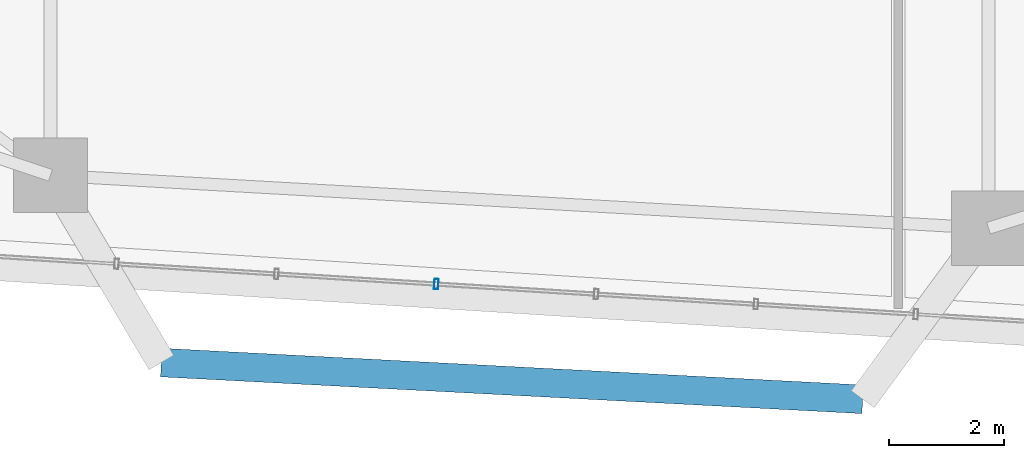
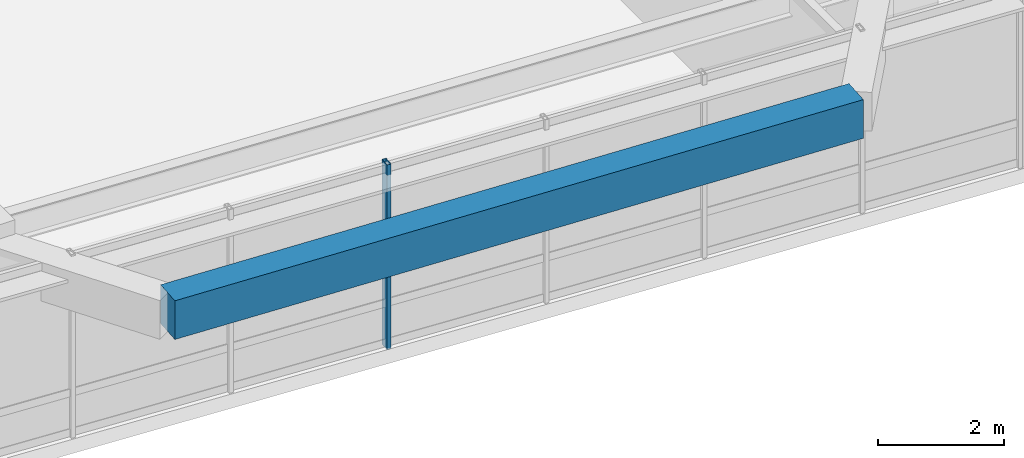
# One storey, part 3 of 13: 1 beam, 1 member, 1 element without a shape of its own.
"""IFC4 building model written with IfcOpenShell, lengths in metres."""

from ifc_helpers import new_model, si_unit, direction, frame, origin, origin_2d, place, context, subcontext, project, spatial, rectangle, hollow_rectangle, extrude, material, material_profile, profile_set, type_object, element, aggregate, save


model = new_model("IFC4")

# Units and contexts
model_context = context("Model", 3, precision=1e-05, world=origin(), true_north=direction((0.0, 1.0)))
body_context = subcontext(model_context, "Body", "Model", "MODEL_VIEW")
ifc_project = project(units=[si_unit("LENGTHUNIT", "METRE"), si_unit("AREAUNIT", "SQUARE_METRE"), si_unit("VOLUMEUNIT", "CUBIC_METRE"), si_unit("PLANEANGLEUNIT", "RADIAN"), si_unit("MASSUNIT", "GRAM", prefix="KILO")], contexts=[model_context])

# Site, building, storey
site_placement = place(None, origin())
site = spatial("IfcSite", under=ifc_project, at=site_placement, CompositionType="ELEMENT")
building_placement = place(site_placement, origin())
building = spatial("IfcBuilding", under=site, at=building_placement, Name="Zulverin Broadcast Headquarters", CompositionType="ELEMENT")
storey_placement = place(building_placement, frame((0.0, 0.0, 70.60009765625)))
storey = spatial("IfcBuildingStorey", under=building, at=storey_placement, Name="L17", CompositionType="ELEMENT", Elevation=70.60009765625)

# Beam
ifc_material_1 = material(Name="Concrete C40/50", Category="concrete")
ifc_material_profile_1 = material_profile(ifc_material_1, rectangle(XDim=0.5, YDim=0.75, at=origin_2d()), Name="Concrete C40/50", Category="concrete")
ifc_profile_set_1 = profile_set([ifc_material_profile_1], Name="Concrete C40/50")
beam_type = type_object("IfcBeamType", Name="BM-RC-500x750", PredefinedType="BEAM", material=ifc_profile_set_1)
beam_placement = place(storey_placement, frame((31.731689453125, 0.652099609375, 3.14990234375), z_axis=(0.998630394716, -0.052319544613, 0.0), x_axis=(0.052319544613, 0.998630394716, 0.0)))
element("IfcBeam", 1, at=beam_placement, inside=storey, type_object=beam_type, Name="L18 Balcony Outer Edge Trimmer Beam BAL_S", PredefinedType="BEAM", context=body_context, shape_type="SweptSolid", body=[
    extrude(rectangle(XDim=0.5, YDim=0.75, at=origin_2d()), origin(), (0.0, 0.0, 1.0), 12.26318359375),
])

# Curtain wall, member
ifc_material_2 = material(Name="Low-zone ribbon unitised curtain wall", Category="aluminium")
curtain_wall_type = type_object("IfcCurtainWallType", Name="CW-TWR-LOW", PredefinedType="USERDEFINED", material=ifc_material_2)
curtain_wall_placement = place(storey_placement, origin())
curtain_wall = element("IfcCurtainWall", 2, at=curtain_wall_placement, inside=storey, type_object=curtain_wall_type, Name="L17 Unitised Curtain Wall CW-L17-E1", ObjectType="UNITISED CURTAIN WALL", PredefinedType="USERDEFINED")
ifc_material_3 = material(Name="Anodized pale-metal aluminium alloy 6063-T6", Category="aluminium")
ifc_material_profile_2 = material_profile(ifc_material_3, hollow_rectangle(XDim=0.074951171875, YDim=0.179931640625, WallThickness=0.0048828125, at=origin_2d()), Name="Anodized pale-metal aluminium alloy 6063-T6", Category="aluminium")
ifc_profile_set_2 = profile_set([ifc_material_profile_2], Name="Anodized pale-metal aluminium alloy 6063-T6")
member_type = type_object("IfcMemberType", Name="CW-MUL-180", PredefinedType="MULLION", material=ifc_profile_set_2)
member_placement = place(storey_placement, frame((36.533447265625, 2.023193359375, -0.030029296875), z_axis=(0.0, 0.0, 1.0), x_axis=(0.998017182581, -0.062942062821, 0.0)))
member = element("IfcMember", 3, at=member_placement, type_object=member_type, Name="CW-L17-E1 Mullion 03", PredefinedType="MULLION", context=body_context, shape_type="SweptSolid", body=[
    extrude(hollow_rectangle(XDim=0.074951171875, YDim=0.179931640625, WallThickness=0.0048828125, at=origin_2d()), origin(), (0.0, 0.0, 1.0), 3.5849609375),
])
aggregate(curtain_wall, [member])

save(model, "model.ifc")
